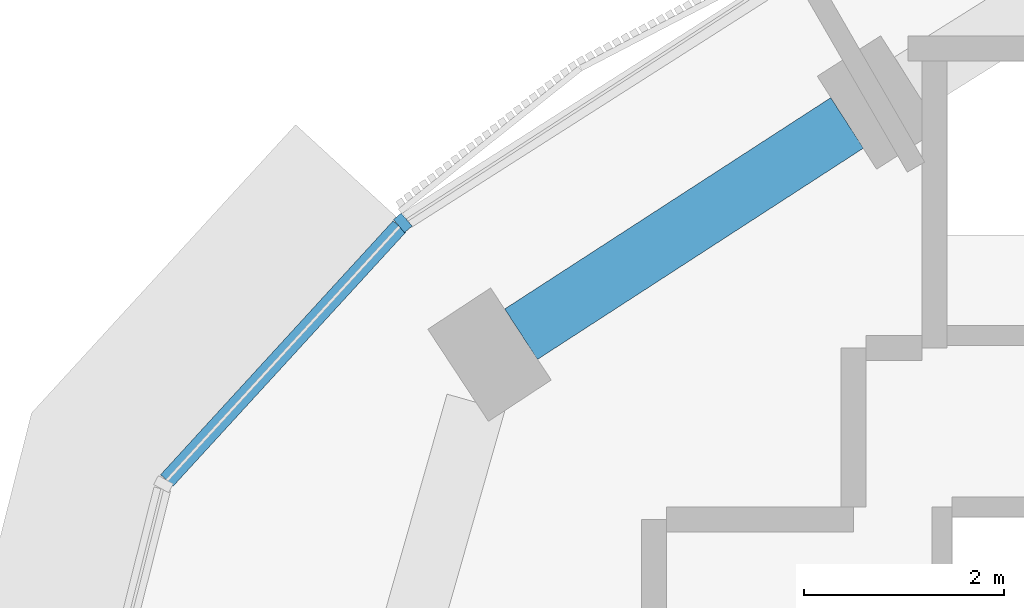
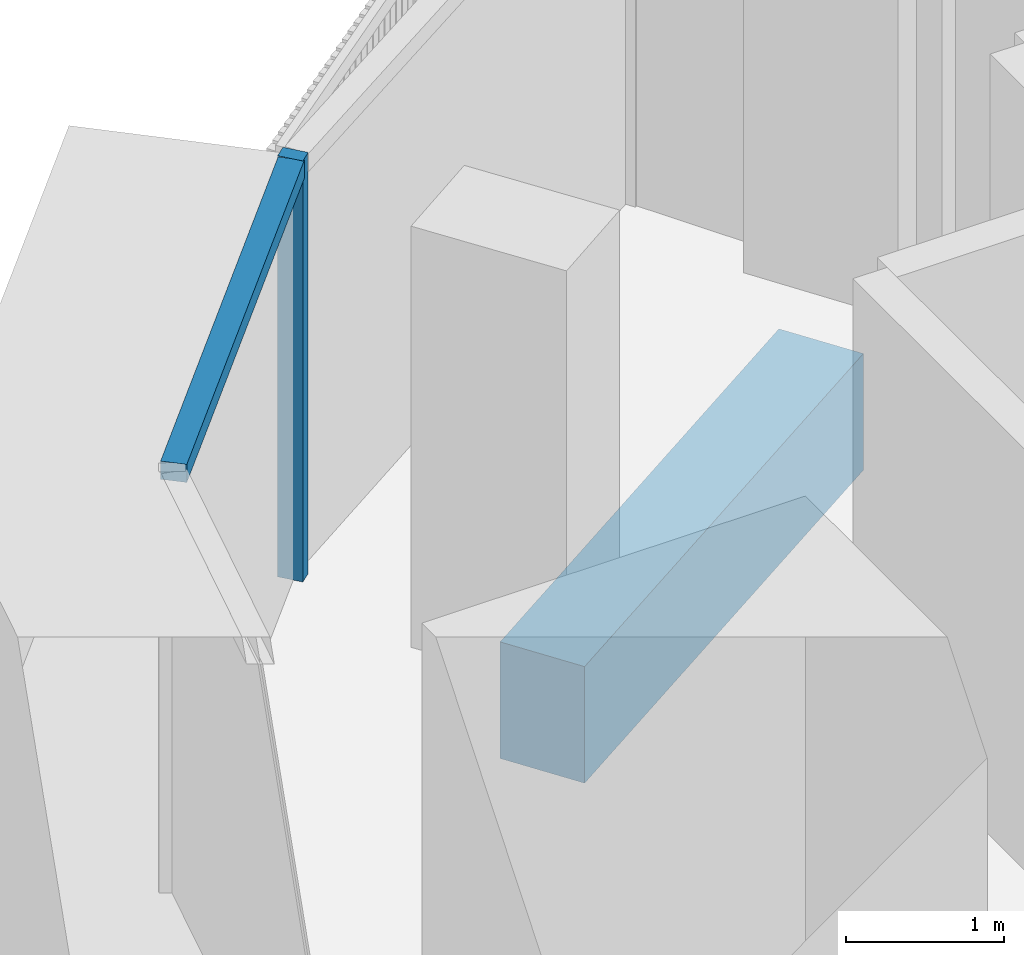
# One storey, part 3 of 14: 2 members, 1 beam, 1 element without a shape of its own.
"""IFC4 building model written with IfcOpenShell, lengths in metres."""

import ifcopenshell
import ifcopenshell.guid

model = None  # the IFC model being written
_history = None  # IfcOwnerHistory: only IFC2X3 demands one
_inside = {}  # id of a spatial element -> (the spatial element, [elements in it])
_under = {}  # id of a project, library or spatial element -> (it, [spatial elements below it])
_declared = {}  # id of a project -> (the project, [libraries it declares])
_typed = {}  # id of a type object -> (the type object, [elements of that type])
_made_of = {}  # id of a material, layer set ... -> (it, [elements and type objects made of it])


def new_model(schema):
    """Start an empty IFC model of exactly this schema.

    Asked for "IFC4X3", IfcOpenShell would pick the latest addendum, in which some entities
    have other attributes; the version numbers below select the first issue.
    IFC2X3 requires an IfcOwnerHistory on every rooted entity: one is made here for all.
    """
    global model, _history
    if schema == "IFC4X3":
        model = ifcopenshell.file(schema_version=(4, 3, 0, 0))
    else:
        model = ifcopenshell.file(schema=schema)
    _inside.clear()
    _under.clear()
    _declared.clear()
    _typed.clear()
    _made_of.clear()
    _history = None
    if model.schema == "IFC2X3":
        org = make("IfcOrganization", Name="unknown")
        user = make(
            "IfcPersonAndOrganization",
            ThePerson=make("IfcPerson", FamilyName="unknown"),
            TheOrganization=org,
        )
        app = make(
            "IfcApplication",
            ApplicationDeveloper=org,
            Version="unknown",
            ApplicationFullName="unknown",
            ApplicationIdentifier="unknown",
        )
        _history = make(
            "IfcOwnerHistory",
            OwningUser=user,
            OwningApplication=app,
            ChangeAction="ADDED",
            CreationDate=0,
        )
    return model


def make(cls, **values):
    """One entity of the class cls with the attributes given. An attribute that is None is left unset."""
    return model.create_entity(
        cls, **{name: value for name, value in values.items() if value is not None}
    )


def rooted(cls, **values):
    """An entity with a GlobalId (a new one), such as an element, a storey or a relation."""
    return make(cls, GlobalId=ifcopenshell.guid.new(), OwnerHistory=_history, **values)


def si_unit(unit_type, name, prefix=None):
    """IfcSIUnit, for example si_unit("LENGTHUNIT", "METRE", prefix="MILLI")."""
    return make("IfcSIUnit", UnitType=unit_type, Prefix=prefix, Name=name)


def assignment(units):
    """IfcUnitAssignment: the units of a project."""
    return None if units is None else make("IfcUnitAssignment", Units=units)


def point(xyz):
    """IfcCartesianPoint."""
    return None if xyz is None else make("IfcCartesianPoint", Coordinates=xyz)


def direction(xyz):
    """IfcDirection."""
    return None if xyz is None else make("IfcDirection", DirectionRatios=xyz)


def frame(location, z_axis=None, x_axis=None):
    """IfcAxis2Placement3D, a coordinate frame: its origin and axes. An axis left out is left unset."""
    return make(
        "IfcAxis2Placement3D",
        Location=point(location),
        Axis=direction(z_axis),
        RefDirection=direction(x_axis),
    )


def frame_2d(location, x_axis=None):
    """IfcAxis2Placement2D, a coordinate frame in the plane: its origin and x axis."""
    return make(
        "IfcAxis2Placement2D", Location=point(location), RefDirection=direction(x_axis)
    )


def origin():
    """The frame at (0, 0, 0) with its axes left unset."""
    return frame((0.0, 0.0, 0.0))


def origin_2d():
    """The frame at (0, 0) in the plane with its x axis left unset."""
    return frame_2d((0.0, 0.0))


def place(relative_to, where):
    """IfcLocalPlacement: puts the frame where relative to a parent placement (None: the world)."""
    return make(
        "IfcLocalPlacement", PlacementRelTo=relative_to, RelativePlacement=where
    )


def context(
    kind, dimensions, precision=None, world=None, true_north=None, identifier=None
):
    """IfcGeometricRepresentationContext, for example the 3D "Model" context."""
    return make(
        "IfcGeometricRepresentationContext",
        ContextIdentifier=identifier,
        ContextType=kind,
        CoordinateSpaceDimension=dimensions,
        Precision=precision,
        WorldCoordinateSystem=world,
        TrueNorth=true_north,
    )


def subcontext(parent, identifier, kind, view, scale=None):
    """IfcGeometricRepresentationSubContext, for example "Body" below "Model"."""
    return make(
        "IfcGeometricRepresentationSubContext",
        ContextIdentifier=identifier,
        ContextType=kind,
        ParentContext=parent,
        TargetScale=scale,
        TargetView=view,
    )


def project(units=None, contexts=None):
    """IfcProject with its units and contexts."""
    return rooted(
        "IfcProject",
        Name="project",
        RepresentationContexts=contexts,
        UnitsInContext=assignment(units),
    )


def spatial(cls, under=None, at=None, **own):
    """A site, building, storey or space (cls), placed at a placement, below another one or the project."""
    s = rooted(cls, ObjectPlacement=at, **own)
    if under is not None:
        _under.setdefault(under.id(), (under, []))[1].append(s)
    return s


def profile(cls, at=None, kind="AREA", **sizes):
    """A parametric profile (cls). Its sizes go by their IFC names, for example OverallWidth=200.0."""
    return make(cls, ProfileType=kind, Position=at, **sizes)


def rectangle(**sizes):
    """IfcRectangleProfileDef."""
    return profile("IfcRectangleProfileDef", **sizes)


def extrude(swept, where, along, depth):
    """IfcExtrudedAreaSolid: the profile swept, set in the frame where, extruded along a direction by depth."""
    return make(
        "IfcExtrudedAreaSolid",
        SweptArea=swept,
        Position=where,
        ExtrudedDirection=direction(along),
        Depth=depth,
    )


def shape(context_of_items, identifier, shape_type, items):
    """IfcShapeRepresentation: the items that make up one representation, for example the "Body"."""
    return make(
        "IfcShapeRepresentation",
        ContextOfItems=context_of_items,
        RepresentationIdentifier=identifier,
        RepresentationType=shape_type,
        Items=items,
    )


def material(Name=None, Category=None):
    """IfcMaterial."""
    return make("IfcMaterial", Name=Name, Category=Category)


def material_profile(
    of_material, cross_section, Name=None, Category=None, Priority=None
):
    """IfcMaterialProfile: a cross section and its material."""
    return make(
        "IfcMaterialProfile",
        Name=Name,
        Material=of_material,
        Profile=cross_section,
        Priority=Priority,
        Category=Category,
    )


def profile_set(profiles, Name=None, composite=None):
    """IfcMaterialProfileSet."""
    return make(
        "IfcMaterialProfileSet",
        Name=Name,
        MaterialProfiles=profiles,
        CompositeProfile=composite,
    )


def made_of(thing, what):
    """Note that an element or type object is made of a material, layer set ...; save() writes the relation."""
    if what is not None:
        _made_of.setdefault(what.id(), (what, []))[1].append(thing)
    return thing


def type_object(cls, material=None, **own):
    """A type object (cls), such as IfcWallType, which elements share."""
    return made_of(rooted(cls, **own), material)


def element(
    cls,
    number,
    at=None,
    inside=None,
    cuts=None,
    type_object=None,
    material=None,
    context=None,
    identifier="Body",
    shape_type=None,
    held_by="IfcProductDefinitionShape",
    body=None,
    shapes=None,
    **own,
):
    """One element of the class cls, such as IfcWall. Its Tag is "e" and its number.

    at: its placement. inside: the storey or other place that contains it. cuts: it is an
    opening in that element (IfcRelVoidsElement). A single representation is given by context,
    identifier, shape_type and body (its items); several are given by shapes. held_by: the class
    of the entity that holds the representations. save() writes the other relations.
    """
    e = rooted(cls, Tag="e%d" % number, ObjectPlacement=at, **own)
    if body is not None:
        shapes = [shape(context, identifier, shape_type, body)]
    if shapes is not None:
        e.Representation = make(held_by, Representations=shapes)
    if inside is not None:
        _inside.setdefault(inside.id(), (inside, []))[1].append(e)
    if cuts is not None:
        rooted(
            "IfcRelVoidsElement", RelatingBuildingElement=cuts, RelatedOpeningElement=e
        )
    if type_object is not None:
        _typed.setdefault(type_object.id(), (type_object, []))[1].append(e)
    return made_of(e, material)


def aggregate(whole, parts):
    """IfcRelAggregates: a whole, such as a stair, and the parts it consists of."""
    return rooted("IfcRelAggregates", RelatingObject=whole, RelatedObjects=parts)


def save(model, path):
    """Write the relations noted so far, then the file.

    IfcRelAggregates (storeys below a building ...), IfcRelContainedInSpatialStructure (elements
    in a storey), IfcRelDefinesByType, IfcRelAssociatesMaterial and IfcRelDeclares: one each for
    every whole, place, type object, material and project.
    """
    for whole, parts in _under.values():
        aggregate(whole, parts)
    for where, things in _inside.values():
        rooted(
            "IfcRelContainedInSpatialStructure",
            RelatedElements=things,
            RelatingStructure=where,
        )
    for kind, things in _typed.values():
        rooted("IfcRelDefinesByType", RelatedObjects=things, RelatingType=kind)
    for what, things in _made_of.values():
        rooted("IfcRelAssociatesMaterial", RelatedObjects=things, RelatingMaterial=what)
    for by, libraries in _declared.values():
        rooted("IfcRelDeclares", RelatingContext=by, RelatedDefinitions=libraries)
    model.write(path)


model = new_model("IFC4")

# Units and contexts
model_context = context("Model", 3, precision=1e-05, world=origin(), true_north=direction((0.0, 1.0)))
body_context = subcontext(model_context, "Body", "Model", "MODEL_VIEW")
ifc_project = project(units=[si_unit("LENGTHUNIT", "METRE"), si_unit("AREAUNIT", "SQUARE_METRE"), si_unit("VOLUMEUNIT", "CUBIC_METRE"), si_unit("PLANEANGLEUNIT", "RADIAN"), si_unit("MASSUNIT", "GRAM", prefix="KILO")], contexts=[model_context])

# Site, building, storey
site_placement = place(None, origin())
site = spatial("IfcSite", under=ifc_project, at=site_placement, CompositionType="ELEMENT")
building_placement = place(site_placement, origin())
building = spatial("IfcBuilding", under=site, at=building_placement, Name="Tamra Quay Hotel Tower", CompositionType="ELEMENT")
storey_placement = place(building_placement, frame((0.0, 0.0, 228.60009765625)))
storey = spatial("IfcBuildingStorey", under=building, at=storey_placement, Name="L57", CompositionType="ELEMENT", Elevation=228.60009765625)

# Curtain wall, member
ifc_material_1 = material(Name="Aluminium 6063 anodised dark grey", Category="aluminium")
curtain_wall_type = type_object("IfcCurtainWallType", Name="CW2 CURTAIN WALL", PredefinedType="NOTDEFINED", material=ifc_material_1)
curtain_wall_placement = place(storey_placement, origin())
curtain_wall = element("IfcCurtainWall", 1, at=curtain_wall_placement, inside=storey, type_object=curtain_wall_type, Name="CW2 north-west face L57", PredefinedType="NOTDEFINED")
ifc_material_profile_1 = material_profile(ifc_material_1, rectangle(XDim=0.169921875, YDim=0.10009765625, at=origin_2d()), Name="MULLION 100X170")
ifc_profile_set_1 = profile_set([ifc_material_profile_1], Name="Aluminium 6063 anodised dark grey")
member_type_1 = type_object("IfcMemberType", Name="MULLION CW2 Z5", PredefinedType="MULLION", material=ifc_profile_set_1)
member_1_placement = place(storey_placement, frame((-24.941650390625, 6.034423828125, 0.0), z_axis=(0.0, 0.0, 1.0), x_axis=(-0.645846473255, 0.763467309702, 0.0)))
member_1 = element("IfcMember", 2, at=member_1_placement, type_object=member_type_1, Name="CW2 mullion L57.NW.9", PredefinedType="MULLION", context=body_context, shape_type="SweptSolid", body=[
    extrude(rectangle(XDim=0.169921875, YDim=0.10009765625, at=origin_2d()), origin(), (0.0, 0.0, 1.0), 3.25),
])

# Beam
ifc_material_2 = material(Name="Concrete M60", Category="concrete")
ifc_material_profile_2 = material_profile(ifc_material_2, rectangle(XDim=0.60009765625, YDim=0.89990234375, at=origin_2d()), Name="SPANDREL BEAM RC 600x900")
ifc_profile_set_2 = profile_set([ifc_material_profile_2], Name="Concrete M60")
beam_type = type_object("IfcBeamType", Name="SPANDREL BEAM RC 600x900", PredefinedType="SPANDREL", material=ifc_profile_set_2)
beam_placement = place(storey_placement, frame((-20.509521484375, 7.03125, -0.800048828125), z_axis=(-0.839181205466, -0.543851914029, 0.0), x_axis=(0.543851914029, -0.839181205466, 0.0)))
element("IfcBeam", 3, at=beam_placement, inside=storey, type_object=beam_type, Name="BM-SP5-017-L57", PredefinedType="SPANDREL", context=body_context, shape_type="SweptSolid", body=[
    extrude(rectangle(XDim=0.60009765625, YDim=0.89990234375, at=origin_2d()), origin(), (0.0, 0.0, 1.0), 3.87548828125),
])

# Member
ifc_material_profile_3 = material_profile(ifc_material_1, rectangle(XDim=0.169921875, YDim=0.139892578125, at=origin_2d()), Name="TRANSOM 170X140")
ifc_profile_set_3 = profile_set([ifc_material_profile_3], Name="Aluminium 6063 anodised dark grey")
member_type_2 = type_object("IfcMemberType", Name="TRANSOM CW2 Z5", PredefinedType="USERDEFINED", material=ifc_profile_set_3)
member_2_placement = place(storey_placement, frame((-24.975341796875, 5.99755859375, 3.179931640625), z_axis=(-0.675476773907, -0.737381263603, 0.0), x_axis=(0.737381263603, -0.675476773907, 0.0)))
member_2 = element("IfcMember", 4, at=member_2_placement, type_object=member_type_2, Name="CW2 transom L57.NW.9", ObjectType="TRANSOM", PredefinedType="USERDEFINED", context=body_context, shape_type="SweptSolid", body=[
    extrude(rectangle(XDim=0.169921875, YDim=0.139892578125, at=origin_2d()), origin(), (0.0, 0.0, 1.0), 3.43505859375),
])

aggregate(curtain_wall, [member_1, member_2])

save(model, "model.ifc")
